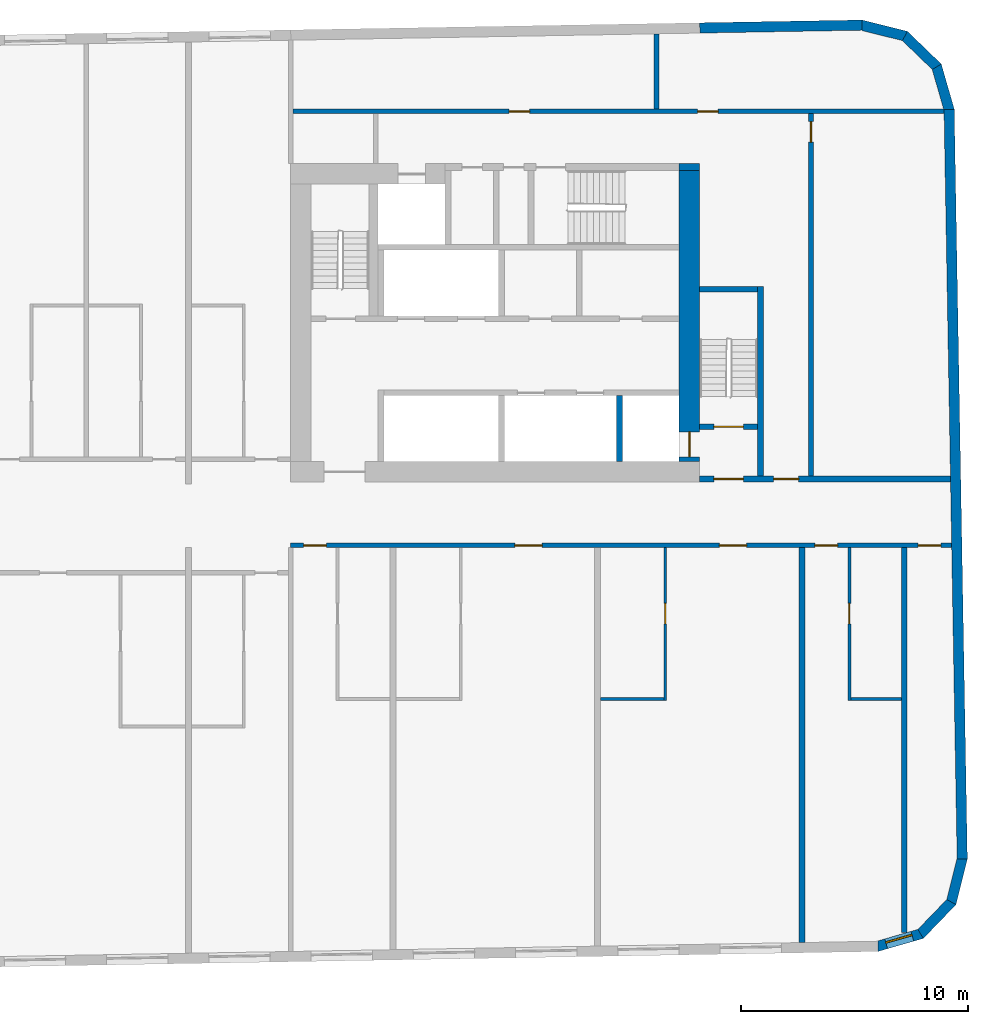
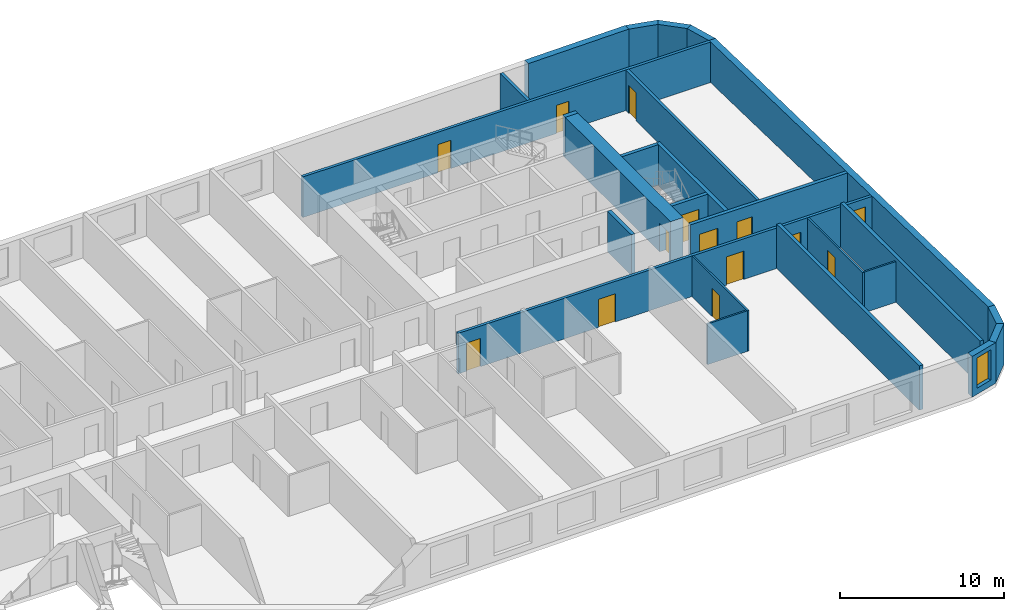
# One storey, part 7 of 11: 25 walls, 14 doors, 1 window, 15 openings.
"""IFC4 building model written with IfcOpenShell, lengths in metres."""

import ifcopenshell
import ifcopenshell.guid

model = None  # the IFC model being written
_history = None  # IfcOwnerHistory: only IFC2X3 demands one
_inside = {}  # id of a spatial element -> (the spatial element, [elements in it])
_under = {}  # id of a project, library or spatial element -> (it, [spatial elements below it])
_declared = {}  # id of a project -> (the project, [libraries it declares])
_typed = {}  # id of a type object -> (the type object, [elements of that type])
_made_of = {}  # id of a material, layer set ... -> (it, [elements and type objects made of it])


def new_model(schema):
    """Start an empty IFC model of exactly this schema.

    Asked for "IFC4X3", IfcOpenShell would pick the latest addendum, in which some entities
    have other attributes; the version numbers below select the first issue.
    IFC2X3 requires an IfcOwnerHistory on every rooted entity: one is made here for all.
    """
    global model, _history
    if schema == "IFC4X3":
        model = ifcopenshell.file(schema_version=(4, 3, 0, 0))
    else:
        model = ifcopenshell.file(schema=schema)
    _inside.clear()
    _under.clear()
    _declared.clear()
    _typed.clear()
    _made_of.clear()
    _history = None
    if model.schema == "IFC2X3":
        org = make("IfcOrganization", Name="unknown")
        user = make(
            "IfcPersonAndOrganization",
            ThePerson=make("IfcPerson", FamilyName="unknown"),
            TheOrganization=org,
        )
        app = make(
            "IfcApplication",
            ApplicationDeveloper=org,
            Version="unknown",
            ApplicationFullName="unknown",
            ApplicationIdentifier="unknown",
        )
        _history = make(
            "IfcOwnerHistory",
            OwningUser=user,
            OwningApplication=app,
            ChangeAction="ADDED",
            CreationDate=0,
        )
    return model


def make(cls, **values):
    """One entity of the class cls with the attributes given. An attribute that is None is left unset."""
    return model.create_entity(
        cls, **{name: value for name, value in values.items() if value is not None}
    )


def rooted(cls, **values):
    """An entity with a GlobalId (a new one), such as an element, a storey or a relation."""
    return make(cls, GlobalId=ifcopenshell.guid.new(), OwnerHistory=_history, **values)


def si_unit(unit_type, name, prefix=None):
    """IfcSIUnit, for example si_unit("LENGTHUNIT", "METRE", prefix="MILLI")."""
    return make("IfcSIUnit", UnitType=unit_type, Prefix=prefix, Name=name)


def assignment(units):
    """IfcUnitAssignment: the units of a project."""
    return None if units is None else make("IfcUnitAssignment", Units=units)


def point(xyz):
    """IfcCartesianPoint."""
    return None if xyz is None else make("IfcCartesianPoint", Coordinates=xyz)


def direction(xyz):
    """IfcDirection."""
    return None if xyz is None else make("IfcDirection", DirectionRatios=xyz)


def frame(location, z_axis=None, x_axis=None):
    """IfcAxis2Placement3D, a coordinate frame: its origin and axes. An axis left out is left unset."""
    return make(
        "IfcAxis2Placement3D",
        Location=point(location),
        Axis=direction(z_axis),
        RefDirection=direction(x_axis),
    )


def frame_2d(location, x_axis=None):
    """IfcAxis2Placement2D, a coordinate frame in the plane: its origin and x axis."""
    return make(
        "IfcAxis2Placement2D", Location=point(location), RefDirection=direction(x_axis)
    )


def origin():
    """The frame at (0, 0, 0) with its axes left unset."""
    return frame((0.0, 0.0, 0.0))


def place(relative_to, where):
    """IfcLocalPlacement: puts the frame where relative to a parent placement (None: the world)."""
    return make(
        "IfcLocalPlacement", PlacementRelTo=relative_to, RelativePlacement=where
    )


def context(
    kind, dimensions, precision=None, world=None, true_north=None, identifier=None
):
    """IfcGeometricRepresentationContext, for example the 3D "Model" context."""
    return make(
        "IfcGeometricRepresentationContext",
        ContextIdentifier=identifier,
        ContextType=kind,
        CoordinateSpaceDimension=dimensions,
        Precision=precision,
        WorldCoordinateSystem=world,
        TrueNorth=true_north,
    )


def subcontext(parent, identifier, kind, view, scale=None):
    """IfcGeometricRepresentationSubContext, for example "Body" below "Model"."""
    return make(
        "IfcGeometricRepresentationSubContext",
        ContextIdentifier=identifier,
        ContextType=kind,
        ParentContext=parent,
        TargetScale=scale,
        TargetView=view,
    )


def project(units=None, contexts=None):
    """IfcProject with its units and contexts."""
    return rooted(
        "IfcProject",
        Name="project",
        RepresentationContexts=contexts,
        UnitsInContext=assignment(units),
    )


def spatial(cls, under=None, at=None, **own):
    """A site, building, storey or space (cls), placed at a placement, below another one or the project."""
    s = rooted(cls, ObjectPlacement=at, **own)
    if under is not None:
        _under.setdefault(under.id(), (under, []))[1].append(s)
    return s


def polyline(points):
    """IfcPolyline through the points."""
    return make("IfcPolyline", Points=[point(p) for p in points])


def profile(cls, at=None, kind="AREA", **sizes):
    """A parametric profile (cls). Its sizes go by their IFC names, for example OverallWidth=200.0."""
    return make(cls, ProfileType=kind, Position=at, **sizes)


def rectangle(**sizes):
    """IfcRectangleProfileDef."""
    return profile("IfcRectangleProfileDef", **sizes)


def outline(outer, holes=None, kind="AREA"):
    """IfcArbitraryClosedProfileDef: a profile drawn as a closed curve; with holes, ...WithVoids."""
    if holes is None:
        return make("IfcArbitraryClosedProfileDef", ProfileType=kind, OuterCurve=outer)
    return make(
        "IfcArbitraryProfileDefWithVoids",
        ProfileType=kind,
        OuterCurve=outer,
        InnerCurves=holes,
    )


def extrude(swept, where, along, depth):
    """IfcExtrudedAreaSolid: the profile swept, set in the frame where, extruded along a direction by depth."""
    return make(
        "IfcExtrudedAreaSolid",
        SweptArea=swept,
        Position=where,
        ExtrudedDirection=direction(along),
        Depth=depth,
    )


def shape(context_of_items, identifier, shape_type, items):
    """IfcShapeRepresentation: the items that make up one representation, for example the "Body"."""
    return make(
        "IfcShapeRepresentation",
        ContextOfItems=context_of_items,
        RepresentationIdentifier=identifier,
        RepresentationType=shape_type,
        Items=items,
    )


def material(Name=None, Category=None):
    """IfcMaterial."""
    return make("IfcMaterial", Name=Name, Category=Category)


def layer(
    of_material, thickness, ventilated=None, Name=None, Category=None, Priority=None
):
    """IfcMaterialLayer: one layer of a wall or slab, of a material (None: an air gap)."""
    return make(
        "IfcMaterialLayer",
        Material=of_material,
        LayerThickness=thickness,
        IsVentilated=ventilated,
        Name=Name,
        Category=Category,
        Priority=Priority,
    )


def layer_set(layers, Name=None):
    """IfcMaterialLayerSet."""
    return make("IfcMaterialLayerSet", MaterialLayers=layers, LayerSetName=Name)


def made_of(thing, what):
    """Note that an element or type object is made of a material, layer set ...; save() writes the relation."""
    if what is not None:
        _made_of.setdefault(what.id(), (what, []))[1].append(thing)
    return thing


def type_object(cls, material=None, **own):
    """A type object (cls), such as IfcWallType, which elements share."""
    return made_of(rooted(cls, **own), material)


def element(
    cls,
    number,
    at=None,
    inside=None,
    cuts=None,
    type_object=None,
    material=None,
    context=None,
    identifier="Body",
    shape_type=None,
    held_by="IfcProductDefinitionShape",
    body=None,
    shapes=None,
    **own,
):
    """One element of the class cls, such as IfcWall. Its Tag is "e" and its number.

    at: its placement. inside: the storey or other place that contains it. cuts: it is an
    opening in that element (IfcRelVoidsElement). A single representation is given by context,
    identifier, shape_type and body (its items); several are given by shapes. held_by: the class
    of the entity that holds the representations. save() writes the other relations.
    """
    e = rooted(cls, Tag="e%d" % number, ObjectPlacement=at, **own)
    if body is not None:
        shapes = [shape(context, identifier, shape_type, body)]
    if shapes is not None:
        e.Representation = make(held_by, Representations=shapes)
    if inside is not None:
        _inside.setdefault(inside.id(), (inside, []))[1].append(e)
    if cuts is not None:
        rooted(
            "IfcRelVoidsElement", RelatingBuildingElement=cuts, RelatedOpeningElement=e
        )
    if type_object is not None:
        _typed.setdefault(type_object.id(), (type_object, []))[1].append(e)
    return made_of(e, material)


def fill(opening, filler):
    """IfcRelFillsElement: the door or window that sits in an opening."""
    return rooted(
        "IfcRelFillsElement",
        RelatingOpeningElement=opening,
        RelatedBuildingElement=filler,
    )


def aggregate(whole, parts):
    """IfcRelAggregates: a whole, such as a stair, and the parts it consists of."""
    return rooted("IfcRelAggregates", RelatingObject=whole, RelatedObjects=parts)


def save(model, path):
    """Write the relations noted so far, then the file.

    IfcRelAggregates (storeys below a building ...), IfcRelContainedInSpatialStructure (elements
    in a storey), IfcRelDefinesByType, IfcRelAssociatesMaterial and IfcRelDeclares: one each for
    every whole, place, type object, material and project.
    """
    for whole, parts in _under.values():
        aggregate(whole, parts)
    for where, things in _inside.values():
        rooted(
            "IfcRelContainedInSpatialStructure",
            RelatedElements=things,
            RelatingStructure=where,
        )
    for kind, things in _typed.values():
        rooted("IfcRelDefinesByType", RelatedObjects=things, RelatingType=kind)
    for what, things in _made_of.values():
        rooted("IfcRelAssociatesMaterial", RelatedObjects=things, RelatingMaterial=what)
    for by, libraries in _declared.values():
        rooted("IfcRelDeclares", RelatingContext=by, RelatedDefinitions=libraries)
    model.write(path)


model = new_model("IFC4")

# Units and contexts
model_context = context("Model", 3, precision=1e-05, world=origin(), true_north=direction((0.0, 1.0)))
body_context = subcontext(model_context, "Body", "Model", "MODEL_VIEW")
ifc_project = project(units=[si_unit("LENGTHUNIT", "METRE"), si_unit("AREAUNIT", "SQUARE_METRE"), si_unit("VOLUMEUNIT", "CUBIC_METRE"), si_unit("PLANEANGLEUNIT", "RADIAN"), si_unit("MASSUNIT", "GRAM", prefix="KILO")], contexts=[model_context])

# Site, building, storey
site_placement = place(None, origin())
site = spatial("IfcSite", under=ifc_project, at=site_placement, CompositionType="ELEMENT")
building_placement = place(site_placement, origin())
building = spatial("IfcBuilding", under=site, at=building_placement, Name="Kajstack Hotel Tower", CompositionType="ELEMENT")
storey_placement = place(building_placement, frame((0.0, 0.0, 224.300048828125)))
storey = spatial("IfcBuildingStorey", under=building, at=storey_placement, Name="L54", CompositionType="ELEMENT", Elevation=224.300048828125)

# Wall
ifc_material_1 = material(Name="Concrete C60/75", Category="concrete")
ifc_layer_1 = layer(ifc_material_1, 0.89990234375)
ifc_layer_set_1 = layer_set([ifc_layer_1], Name="Core wall 900")
wall_type_1 = type_object("IfcWallType", Name="Core wall 900", PredefinedType="SHEAR", material=ifc_layer_set_1)
wall_1_placement = place(storey_placement, frame((30.60009765625, 15.35009765625, 0.0), z_axis=(0.0, 0.0, 1.0), x_axis=(1.0, 0.0, 0.0)))
element("IfcWall", 1, at=wall_1_placement, inside=storey, type_object=wall_type_1, Name="Core wall E RSW", PredefinedType="SHEAR", context=body_context, shape_type="SweptSolid", body=[
    extrude(rectangle(XDim=0.89990234375, YDim=0.300048828125, at=frame_2d((0.449951171875, 0.0))), origin(), (0.0, 0.0, 1.0), 3.02001953125),
])

# Wall, opening, door
wall_2_placement = place(storey_placement, frame((31.050048828125, 2.39990234375, 0.0), z_axis=(0.0, 0.0, 1.0), x_axis=(0.0, 1.0, 0.0)))
wall_2 = element("IfcWall", 2, at=wall_2_placement, inside=storey, type_object=wall_type_1, Name="Core wall E RW", PredefinedType="SHEAR", context=body_context, shape_type="SweptSolid", body=[
    extrude(rectangle(XDim=12.800048828125, YDim=0.89990234375, at=frame_2d((6.39990234375, 0.0))), origin(), (0.0, 0.0, 1.0), 3.02001953125),
])
opening_1_placement = place(wall_2_placement, frame((0.199951171875, 0.0, 0.0)))
opening_1 = element("IfcOpeningElement", 3, at=opening_1_placement, cuts=wall_2, Name="Opening LD-FF2", PredefinedType="OPENING", context=body_context, shape_type="SweptSolid", body=[
    extrude(rectangle(XDim=1.10009765625, YDim=2.10009765625, at=frame_2d((0.550048828125, 1.050048828125))), frame((0.0, 0.4599609375, 0.0), z_axis=(0.0, -1.0, 0.0), x_axis=(1.0, 0.0, 0.0)), (0.0, 0.0, 1.0), 0.919921875),
])
ifc_material_2 = material(Name="Stainless steel", Category="steel")
door_type_1 = type_object("IfcDoorType", Name="Fire-fighting lift landing door 1100", OperationType="SLIDING_TO_LEFT", PredefinedType="DOOR", material=ifc_material_2)
door_1_placement = place(opening_1_placement, origin())
door_1 = element("IfcDoor", 4, at=door_1_placement, inside=storey, type_object=door_type_1, Name="Landing door FF2", OperationType="SLIDING_TO_LEFT", OverallHeight=2.10009765625, OverallWidth=1.10009765625, PredefinedType="DOOR", context=body_context, shape_type="SweptSolid", body=[
    extrude(rectangle(XDim=1.10009765625, YDim=2.10009765625, at=frame_2d((0.550048828125, 1.050048828125))), frame((0.0, 0.02490234375, 0.0), z_axis=(0.0, -1.0, 0.0), x_axis=(1.0, 0.0, 0.0)), (0.0, 0.0, 1.0), 0.050048828125),
])
fill(opening_1, door_1)

# Wall, openings, doors
ifc_material_3 = material(Name="Gypsum board on steel studs, mineral wool", Category="steel")
ifc_layer_2 = layer(ifc_material_3, 0.199951171875)
ifc_layer_set_2 = layer_set([ifc_layer_2], Name="Corridor wall 200")
wall_type_2 = type_object("IfcWallType", Name="Corridor wall 200", PredefinedType="PARTITIONING", material=ifc_layer_set_2)
wall_3_placement = place(storey_placement, frame((13.5, -1.300048828125, 0.0), z_axis=(0.0, 0.0, 1.0), x_axis=(1.0, 0.0, 0.0)))
wall_3 = element("IfcWall", 5, at=wall_3_placement, inside=storey, type_object=wall_type_2, Name="G-wall-L54-030", PredefinedType="PARTITIONING", context=body_context, shape_type="SweptSolid", body=[
    extrude(rectangle(XDim=29.091064453125, YDim=0.199951171875, at=frame_2d((14.54541015625, 0.0))), origin(), (0.0, 0.0, 1.0), 3.02001953125),
])
opening_2_placement = place(wall_3_placement, frame((0.574951171875, 0.0, 0.0)))
opening_2 = element("IfcOpeningElement", 6, at=opening_2_placement, cuts=wall_3, Name="Opening 54029", PredefinedType="OPENING", context=body_context, shape_type="SweptSolid", body=[
    extrude(rectangle(XDim=1.0, YDim=2.10009765625, at=frame_2d((0.5, 1.050048828125))), frame((0.0, 0.10986328125, 0.0), z_axis=(0.0, -1.0, 0.0), x_axis=(1.0, 0.0, 0.0)), (0.0, 0.0, 1.0), 0.219970703125),
])
opening_3_placement = place(wall_3_placement, frame((9.862060546875, 0.0, 0.0)))
opening_3 = element("IfcOpeningElement", 7, at=opening_3_placement, cuts=wall_3, Name="Opening 54031", PredefinedType="OPENING", context=body_context, shape_type="SweptSolid", body=[
    extrude(rectangle(XDim=1.199951171875, YDim=2.10009765625, at=frame_2d((0.60009765625, 1.050048828125))), frame((0.0, 0.10986328125, 0.0), z_axis=(0.0, -1.0, 0.0), x_axis=(1.0, 0.0, 0.0)), (0.0, 0.0, 1.0), 0.219970703125),
])
opening_4_placement = place(wall_3_placement, frame((18.862060546875, 0.0, 0.0)))
opening_4 = element("IfcOpeningElement", 8, at=opening_4_placement, cuts=wall_3, Name="Opening 54033", PredefinedType="OPENING", context=body_context, shape_type="SweptSolid", body=[
    extrude(rectangle(XDim=1.199951171875, YDim=2.10009765625, at=frame_2d((0.60009765625, 1.050048828125))), frame((0.0, 0.10986328125, 0.0), z_axis=(0.0, -1.0, 0.0), x_axis=(1.0, 0.0, 0.0)), (0.0, 0.0, 1.0), 0.219970703125),
])
opening_5_placement = place(wall_3_placement, frame((23.074951171875, 0.0, 0.0)))
opening_5 = element("IfcOpeningElement", 9, at=opening_5_placement, cuts=wall_3, Name="Opening 54035", PredefinedType="OPENING", context=body_context, shape_type="SweptSolid", body=[
    extrude(rectangle(XDim=1.0, YDim=2.10009765625, at=frame_2d((0.5, 1.050048828125))), frame((0.0, 0.10986328125, 0.0), z_axis=(0.0, -1.0, 0.0), x_axis=(1.0, 0.0, 0.0)), (0.0, 0.0, 1.0), 0.219970703125),
])
opening_6_placement = place(wall_3_placement, frame((27.611083984375, 0.0, 0.0)))
opening_6 = element("IfcOpeningElement", 10, at=opening_6_placement, cuts=wall_3, Name="Opening 54037", PredefinedType="OPENING", context=body_context, shape_type="SweptSolid", body=[
    extrude(rectangle(XDim=1.0, YDim=2.39990234375, at=frame_2d((0.5, 1.199951171875))), frame((0.0, 0.10986328125, 0.0), z_axis=(0.0, -1.0, 0.0), x_axis=(1.0, 0.0, 0.0)), (0.0, 0.0, 1.0), 0.219970703125),
])
ifc_material_4 = material(Name="Oak veneer on timber core, fire-rated leaf", Category="wood")
door_type_2 = type_object("IfcDoorType", Name="Flat entrance door 1000", OperationType="SINGLE_SWING_LEFT", PredefinedType="DOOR", material=ifc_material_4)
door_2_placement = place(opening_2_placement, origin())
door_2 = element("IfcDoor", 11, at=door_2_placement, inside=storey, type_object=door_type_2, Name="G-door-L54-29", OperationType="SINGLE_SWING_LEFT", OverallHeight=2.10009765625, OverallWidth=1.0, PredefinedType="DOOR", context=body_context, shape_type="SweptSolid", body=[
    extrude(rectangle(XDim=1.0, YDim=2.10009765625, at=frame_2d((0.5, 1.050048828125))), frame((0.0, 0.02490234375, 0.0), z_axis=(0.0, -1.0, 0.0), x_axis=(1.0, 0.0, 0.0)), (0.0, 0.0, 1.0), 0.050048828125),
])
fill(opening_2, door_2)
door_3_placement = place(opening_5_placement, origin())
door_3 = element("IfcDoor", 12, at=door_3_placement, inside=storey, type_object=door_type_2, Name="G-door-L54-35", OperationType="SINGLE_SWING_LEFT", OverallHeight=2.10009765625, OverallWidth=1.0, PredefinedType="DOOR", context=body_context, shape_type="SweptSolid", body=[
    extrude(rectangle(XDim=1.0, YDim=2.10009765625, at=frame_2d((0.5, 1.050048828125))), frame((0.0, 0.02490234375, 0.0), z_axis=(0.0, -1.0, 0.0), x_axis=(1.0, 0.0, 0.0)), (0.0, 0.0, 1.0), 0.050048828125),
])
fill(opening_5, door_3)
door_type_3 = type_object("IfcDoorType", Name="Flat entrance door 1200", OperationType="SINGLE_SWING_LEFT", PredefinedType="DOOR", material=ifc_material_4)
door_4_placement = place(opening_3_placement, origin())
door_4 = element("IfcDoor", 13, at=door_4_placement, inside=storey, type_object=door_type_3, Name="G-door-L54-31", OperationType="SINGLE_SWING_LEFT", OverallHeight=2.10009765625, OverallWidth=1.199951171875, PredefinedType="DOOR", context=body_context, shape_type="SweptSolid", body=[
    extrude(rectangle(XDim=1.199951171875, YDim=2.10009765625, at=frame_2d((0.60009765625, 1.050048828125))), frame((0.0, 0.02490234375, 0.0), z_axis=(0.0, -1.0, 0.0), x_axis=(1.0, 0.0, 0.0)), (0.0, 0.0, 1.0), 0.050048828125),
])
fill(opening_3, door_4)
door_5_placement = place(opening_4_placement, origin())
door_5 = element("IfcDoor", 14, at=door_5_placement, inside=storey, type_object=door_type_3, Name="G-door-L54-33", OperationType="SINGLE_SWING_LEFT", OverallHeight=2.10009765625, OverallWidth=1.199951171875, PredefinedType="DOOR", context=body_context, shape_type="SweptSolid", body=[
    extrude(rectangle(XDim=1.199951171875, YDim=2.10009765625, at=frame_2d((0.60009765625, 1.050048828125))), frame((0.0, 0.02490234375, 0.0), z_axis=(0.0, -1.0, 0.0), x_axis=(1.0, 0.0, 0.0)), (0.0, 0.0, 1.0), 0.050048828125),
])
fill(opening_4, door_5)
ifc_material_5 = material(Name="Steel-faced door leaf, fire-rated", Category="steel")
door_type_4 = type_object("IfcDoorType", Name="Store door 1000", OperationType="SINGLE_SWING_LEFT", PredefinedType="DOOR", material=ifc_material_5)
door_6_placement = place(opening_6_placement, origin())
door_6 = element("IfcDoor", 15, at=door_6_placement, inside=storey, type_object=door_type_4, Name="G-door-L54-37", OperationType="SINGLE_SWING_LEFT", OverallHeight=2.39990234375, OverallWidth=1.0, PredefinedType="DOOR", context=body_context, shape_type="SweptSolid", body=[
    extrude(rectangle(XDim=1.0, YDim=2.39990234375, at=frame_2d((0.5, 1.199951171875))), frame((0.0, 0.02490234375, 0.0), z_axis=(0.0, -1.0, 0.0), x_axis=(1.0, 0.0, 0.0)), (0.0, 0.0, 1.0), 0.050048828125),
])
fill(opening_6, door_6)

# Wall, opening, window
ifc_material_6 = material(Name="Terracotta-faced brick masonry", Category="masonry")
ifc_layer_3 = layer(ifc_material_6, 0.449951171875)
ifc_layer_set_3 = layer_set([ifc_layer_3], Name="EW-TERRA")
wall_type_3 = type_object("IfcWallType", Name="EW-TERRA", PredefinedType="SOLIDWALL", material=ifc_layer_set_3)
wall_4_placement = place(storey_placement, frame((39.290283203125, -18.952392578125, 0.0), z_axis=(0.0, 0.0, 1.0), x_axis=(0.961247584925, 0.275686562016, 0.0)))
wall_4 = element("IfcWall", 16, at=wall_4_placement, inside=storey, type_object=wall_type_3, Name="E-wall-L54-05-00", PredefinedType="SOLIDWALL", context=body_context, shape_type="SweptSolid", body=[
    extrude(outline(polyline([(0.0, -0.224853515625), (2.070556640625, -0.22509765625), (1.949951171875, 0.224853515625), (0.12060546875, 0.22509765625), (0.0, -0.224853515625)])), origin(), (0.0, 0.0, 1.0), 3.02001953125),
])
opening_7_placement = place(wall_4_placement, frame((0.435302734375, 0.0, 0.449951171875)))
opening_7 = element("IfcOpeningElement", 17, at=opening_7_placement, cuts=wall_4, Name="Opening W3", PredefinedType="OPENING", context=body_context, shape_type="SweptSolid", body=[
    extrude(rectangle(XDim=1.199951171875, YDim=2.25, at=frame_2d((0.60009765625, 1.125))), frame((0.0, 0.23486328125, 0.0), z_axis=(0.0, -1.0, 0.0), x_axis=(1.0, 0.0, 0.0)), (0.0, 0.0, 1.0), 0.469970703125),
])
ifc_material_7 = material(Name="Timber-aluminium window, triple glazed", Category="wood")
window_type = type_object("IfcWindowType", Name="WG3", PartitioningType="SINGLE_PANEL", PredefinedType="WINDOW", material=ifc_material_7)
window_placement = place(opening_7_placement, origin())
window = element("IfcWindow", 18, at=window_placement, inside=storey, type_object=window_type, Name="Window W3 L54-05", OverallHeight=2.25, OverallWidth=1.199951171875, PartitioningType="SINGLE_PANEL", PredefinedType="WINDOW", context=body_context, shape_type="SweptSolid", body=[
    extrude(rectangle(XDim=1.199951171875, YDim=2.25, at=frame_2d((0.60009765625, 1.125))), frame((0.0, 0.090087890625, 0.0), z_axis=(0.0, -1.0, 0.0), x_axis=(1.0, 0.0, 0.0)), (0.0, 0.0, 1.0), 0.06005859375),
])
fill(opening_7, window)

# Walls
wall_5_placement = place(storey_placement, frame((41.1806640625, -18.441650390625, 0.0), z_axis=(0.0, 0.0, 1.0), x_axis=(0.694678672846, 0.719320193998, 0.0)))
element("IfcWall", 19, at=wall_5_placement, inside=storey, type_object=wall_type_3, Name="E-wall-L54-06-00", PredefinedType="SOLIDWALL", context=body_context, shape_type="SweptSolid", body=[
    extrude(outline(polyline([(0.0, -0.22509765625), (2.07080078125, -0.224853515625), (1.9501953125, 0.22509765625), (0.12060546875, 0.22509765625), (0.0, -0.22509765625)])), origin(), (0.0, 0.0, 1.0), 3.02001953125),
])
wall_6_placement = place(storey_placement, frame((42.562744140625, -17.053955078125, 0.0), z_axis=(0.0, 0.0, 1.0), x_axis=(0.241841950319, 0.970315655375, 0.0)))
element("IfcWall", 20, at=wall_6_placement, inside=storey, type_object=wall_type_3, Name="E-wall-L54-07-00", PredefinedType="SOLIDWALL", context=body_context, shape_type="SweptSolid", body=[
    extrude(outline(polyline([(0.0, -0.224853515625), (2.070556640625, -0.22509765625), (1.949951171875, 0.224853515625), (0.12060546875, 0.22509765625), (0.0, -0.224853515625)])), origin(), (0.0, 0.0, 1.0), 3.02001953125),
])
wall_7_placement = place(storey_placement, frame((43.056884765625, -15.103271484375, 0.0), z_axis=(0.0, 0.0, 1.0), x_axis=(-0.017452408953, 0.999847695112, 0.0)))
element("IfcWall", 21, at=wall_7_placement, inside=storey, type_object=wall_type_3, Name="E-wall-L54-08-00", PredefinedType="SOLIDWALL", context=body_context, shape_type="SweptSolid", body=[
    extrude(rectangle(XDim=33.0, YDim=0.449951171875, at=frame_2d((16.5, 0.0))), origin(), (0.0, 0.0, 1.0), 3.02001953125),
])
wall_8_placement = place(storey_placement, frame((42.489501953125, 17.83349609375, 0.0), z_axis=(0.0, 0.0, 1.0), x_axis=(-0.275546368831, 0.961287781377, 0.0)))
element("IfcWall", 22, at=wall_8_placement, inside=storey, type_object=wall_type_3, Name="E-wall-L54-09-00", PredefinedType="SOLIDWALL", context=body_context, shape_type="SweptSolid", body=[
    extrude(outline(polyline([(0.0, -0.22509765625), (2.070556640625, -0.224853515625), (1.949951171875, 0.22509765625), (0.12060546875, 0.224853515625), (0.0, -0.22509765625)])), origin(), (0.0, 0.0, 1.0), 3.02001953125),
])
wall_9_placement = place(storey_placement, frame((41.97900390625, 19.72412109375, 0.0), z_axis=(0.0, 0.0, 1.0), x_axis=(-0.719379111448, 0.694617660308, 0.0)))
element("IfcWall", 23, at=wall_9_placement, inside=storey, type_object=wall_type_3, Name="E-wall-L54-10-00", PredefinedType="SOLIDWALL", context=body_context, shape_type="SweptSolid", body=[
    extrude(outline(polyline([(0.0, -0.224853515625), (2.070556640625, -0.22509765625), (1.949951171875, 0.224853515625), (0.12060546875, 0.22509765625), (0.0, -0.224853515625)])), origin(), (0.0, 0.0, 1.0), 3.02001953125),
])
wall_10_placement = place(storey_placement, frame((40.59130859375, 21.10595703125, 0.0), z_axis=(0.0, 0.0, 1.0), x_axis=(-0.970287979719, 0.241952963225, 0.0)))
element("IfcWall", 24, at=wall_10_placement, inside=storey, type_object=wall_type_3, Name="E-wall-L54-11-00", PredefinedType="SOLIDWALL", context=body_context, shape_type="SweptSolid", body=[
    extrude(outline(polyline([(0.0, -0.22509765625), (2.070556640625, -0.224853515625), (1.949951171875, 0.22509765625), (0.12060546875, 0.224853515625), (0.0, -0.22509765625)])), origin(), (0.0, 0.0, 1.0), 3.02001953125),
])
wall_11_placement = place(storey_placement, frame((38.640625, 21.600341796875, 0.0), z_axis=(0.0, 0.0, 1.0), x_axis=(-0.999847245074, -0.017478172627, 0.0)))
element("IfcWall", 25, at=wall_11_placement, inside=storey, type_object=wall_type_3, Name="E-wall-L54-12-00", PredefinedType="SOLIDWALL", context=body_context, shape_type="SweptSolid", body=[
    extrude(rectangle(XDim=7.1376953125, YDim=0.449951171875, at=frame_2d((3.56884765625, 0.0))), origin(), (0.0, 0.0, 1.0), 3.02001953125),
])

# Wall, opening, door
ifc_material_8 = material(Name="Gypsum board and tiled backer on steel studs", Category="steel")
ifc_layer_4 = layer(ifc_material_8, 0.125)
ifc_layer_set_4 = layer_set([ifc_layer_4], Name="En-suite wall 125")
wall_type_4 = type_object("IfcWallType", Name="En-suite wall 125", PredefinedType="PARTITIONING", material=ifc_layer_set_4)
wall_12_placement = place(storey_placement, frame((29.988037109375, -8.125, 0.0), z_axis=(0.0, 0.0, 1.0), x_axis=(0.0, 1.0, 0.0)))
wall_12 = element("IfcWall", 26, at=wall_12_placement, inside=storey, type_object=wall_type_4, Name="G-wall-L54-044", PredefinedType="PARTITIONING", context=body_context, shape_type="SweptSolid", body=[
    extrude(rectangle(XDim=6.72509765625, YDim=0.125, at=frame_2d((3.362548828125, 0.0))), origin(), (0.0, 0.0, 1.0), 3.02001953125),
])
opening_8_placement = place(wall_12_placement, frame((3.375, 0.0, 0.0)))
opening_8 = element("IfcOpeningElement", 27, at=opening_8_placement, cuts=wall_12, Name="Opening 54034", PredefinedType="OPENING", context=body_context, shape_type="SweptSolid", body=[
    extrude(rectangle(XDim=0.89990234375, YDim=2.10009765625, at=frame_2d((0.449951171875, 1.050048828125))), frame((0.0, 0.072509765625, 0.0), z_axis=(0.0, -1.0, 0.0), x_axis=(1.0, 0.0, 0.0)), (0.0, 0.0, 1.0), 0.14501953125),
])
ifc_material_9 = material(Name="Painted timber door leaf", Category="wood")
door_type_5 = type_object("IfcDoorType", Name="Room door 900", OperationType="SINGLE_SWING_LEFT", PredefinedType="DOOR", material=ifc_material_9)
door_7_placement = place(opening_8_placement, origin())
door_7 = element("IfcDoor", 28, at=door_7_placement, inside=storey, type_object=door_type_5, Name="G-door-L54-34", OperationType="SINGLE_SWING_LEFT", OverallHeight=2.10009765625, OverallWidth=0.89990234375, PredefinedType="DOOR", context=body_context, shape_type="SweptSolid", body=[
    extrude(rectangle(XDim=0.89990234375, YDim=2.10009765625, at=frame_2d((0.449951171875, 1.050048828125))), frame((0.0, 0.02490234375, 0.0), z_axis=(0.0, -1.0, 0.0), x_axis=(1.0, 0.0, 0.0)), (0.0, 0.0, 1.0), 0.050048828125),
])
fill(opening_8, door_7)

# Wall
wall_13_placement = place(storey_placement, frame((27.125, -8.06201171875, 0.0), z_axis=(0.0, 0.0, 1.0), x_axis=(1.0, 0.0, 0.0)))
element("IfcWall", 29, at=wall_13_placement, inside=storey, type_object=wall_type_4, Name="G-wall-L54-045", PredefinedType="PARTITIONING", context=body_context, shape_type="SweptSolid", body=[
    extrude(rectangle(XDim=2.800048828125, YDim=0.125, at=frame_2d((1.39990234375, 0.0))), origin(), (0.0, 0.0, 1.0), 3.02001953125),
])

# Wall, opening, door
wall_14_placement = place(storey_placement, frame((38.0869140625, -8.125, 0.0), z_axis=(0.0, 0.0, 1.0), x_axis=(0.0, 1.0, 0.0)))
wall_14 = element("IfcWall", 30, at=wall_14_placement, inside=storey, type_object=wall_type_4, Name="G-wall-L54-046", PredefinedType="PARTITIONING", context=body_context, shape_type="SweptSolid", body=[
    extrude(rectangle(XDim=6.72509765625, YDim=0.125, at=frame_2d((3.362548828125, 0.0))), origin(), (0.0, 0.0, 1.0), 3.02001953125),
])
opening_9_placement = place(wall_14_placement, frame((3.375, 0.0, 0.0)))
opening_9 = element("IfcOpeningElement", 31, at=opening_9_placement, cuts=wall_14, Name="Opening 54036", PredefinedType="OPENING", context=body_context, shape_type="SweptSolid", body=[
    extrude(rectangle(XDim=0.89990234375, YDim=2.10009765625, at=frame_2d((0.449951171875, 1.050048828125))), frame((0.0, 0.072509765625, 0.0), z_axis=(0.0, -1.0, 0.0), x_axis=(1.0, 0.0, 0.0)), (0.0, 0.0, 1.0), 0.14501953125),
])
door_8_placement = place(opening_9_placement, origin())
door_8 = element("IfcDoor", 32, at=door_8_placement, inside=storey, type_object=door_type_5, Name="G-door-L54-36", OperationType="SINGLE_SWING_RIGHT", OverallHeight=2.10009765625, OverallWidth=0.89990234375, PredefinedType="DOOR", context=body_context, shape_type="SweptSolid", body=[
    extrude(rectangle(XDim=0.89990234375, YDim=2.10009765625, at=frame_2d((0.449951171875, 1.050048828125))), frame((0.0, 0.02490234375, 0.0), z_axis=(0.0, -1.0, 0.0), x_axis=(1.0, 0.0, 0.0)), (0.0, 0.0, 1.0), 0.050048828125),
])
fill(opening_9, door_8)

# Walls
wall_15_placement = place(storey_placement, frame((38.14990234375, -8.06201171875, 0.0), z_axis=(0.0, 0.0, 1.0), x_axis=(1.0, 0.0, 0.0)))
element("IfcWall", 33, at=wall_15_placement, inside=storey, type_object=wall_type_4, Name="G-wall-L54-047", PredefinedType="PARTITIONING", context=body_context, shape_type="SweptSolid", body=[
    extrude(rectangle(XDim=2.22509765625, YDim=0.125, at=frame_2d((1.112548828125, 0.0))), origin(), (0.0, 0.0, 1.0), 3.02001953125),
])
ifc_material_10 = material(Name="Concrete C45/55", Category="concrete")
ifc_layer_5 = layer(ifc_material_10, 0.25)
ifc_layer_set_5 = layer_set([ifc_layer_5], Name="RC cross wall 250 C45/55")
wall_type_5 = type_object("IfcWallType", Name="RC cross wall 250 C45/55", PredefinedType="SHEAR", material=ifc_layer_set_5)
wall_16_placement = place(storey_placement, frame((36.0, -18.764892578125, 0.0), z_axis=(0.0, 0.0, 1.0), x_axis=(0.0, 1.0, 0.0)))
element("IfcWall", 34, at=wall_16_placement, inside=storey, type_object=wall_type_5, Name="S-wall-L54-12", PredefinedType="SHEAR", context=body_context, shape_type="SweptSolid", body=[
    extrude(rectangle(XDim=17.364990234375, YDim=0.25, at=frame_2d((8.6826171875, 0.0))), origin(), (0.0, 0.0, 1.0), 3.300048828125),
])
wall_17_placement = place(storey_placement, frame((40.5, -18.3251953125, 0.0), z_axis=(0.0, 0.0, 1.0), x_axis=(0.0, 1.0, 0.0)))
element("IfcWall", 35, at=wall_17_placement, inside=storey, type_object=wall_type_5, Name="S-wall-L54-13", PredefinedType="SHEAR", context=body_context, shape_type="SweptSolid", body=[
    extrude(rectangle(XDim=16.92529296875, YDim=0.25, at=frame_2d((8.462646484375, 0.0))), origin(), (0.0, 0.0, 1.0), 3.300048828125),
])

# Wall, openings, doors
ifc_layer_6 = layer(ifc_material_3, 0.199951171875)
ifc_layer_set_6 = layer_set([ifc_layer_6], Name="Service partition 200")
wall_type_6 = type_object("IfcWallType", Name="Service partition 200", PredefinedType="PARTITIONING", material=ifc_layer_set_6)
wall_18_placement = place(storey_placement, frame((31.5, 1.625, 0.0), z_axis=(0.0, 0.0, 1.0), x_axis=(1.0, 0.0, 0.0)))
wall_18 = element("IfcWall", 36, at=wall_18_placement, inside=storey, type_object=wall_type_6, Name="Partition E SN", PredefinedType="PARTITIONING", context=body_context, shape_type="SweptSolid", body=[
    extrude(rectangle(XDim=11.039794921875, YDim=0.25, at=frame_2d((5.52001953125, 0.0))), origin(), (0.0, 0.0, 1.0), 3.02001953125),
])
opening_10_placement = place(wall_18_placement, frame((0.625, 0.0, 0.0)))
opening_10 = element("IfcOpeningElement", 37, at=opening_10_placement, cuts=wall_18, Name="Opening 54E08", PredefinedType="OPENING", context=body_context, shape_type="SweptSolid", body=[
    extrude(rectangle(XDim=1.300048828125, YDim=2.10009765625, at=frame_2d((0.64990234375, 1.050048828125))), frame((0.0, 0.135009765625, 0.0), z_axis=(0.0, -1.0, 0.0), x_axis=(1.0, 0.0, 0.0)), (0.0, 0.0, 1.0), 0.27001953125),
])
opening_11_placement = place(wall_18_placement, frame((3.25, 0.0, 0.0)))
opening_11 = element("IfcOpeningElement", 38, at=opening_11_placement, cuts=wall_18, Name="Opening 54E10", PredefinedType="OPENING", context=body_context, shape_type="SweptSolid", body=[
    extrude(rectangle(XDim=1.10009765625, YDim=2.10009765625, at=frame_2d((0.550048828125, 1.050048828125))), frame((0.0, 0.135009765625, 0.0), z_axis=(0.0, -1.0, 0.0), x_axis=(1.0, 0.0, 0.0)), (0.0, 0.0, 1.0), 0.27001953125),
])
ifc_material_11 = material(Name="Steel leaf, fire-rated", Category="steel")
door_type_6 = type_object("IfcDoorType", Name="Fire lobby door 1300", OperationType="SINGLE_SWING_LEFT", PredefinedType="DOOR", material=ifc_material_11)
door_9_placement = place(opening_10_placement, origin())
door_9 = element("IfcDoor", 39, at=door_9_placement, inside=storey, type_object=door_type_6, Name="Door 54E08", OperationType="SINGLE_SWING_LEFT", OverallHeight=2.10009765625, OverallWidth=1.300048828125, PredefinedType="DOOR", context=body_context, shape_type="SweptSolid", body=[
    extrude(rectangle(XDim=1.300048828125, YDim=2.10009765625, at=frame_2d((0.64990234375, 1.050048828125))), frame((0.0, 0.02490234375, 0.0), z_axis=(0.0, -1.0, 0.0), x_axis=(1.0, 0.0, 0.0)), (0.0, 0.0, 1.0), 0.050048828125),
])
fill(opening_10, door_9)
ifc_material_12 = material(Name="Timber leaf, fire-rated", Category="wood")
door_type_7 = type_object("IfcDoorType", Name="Service corridor door 1100", OperationType="SINGLE_SWING_LEFT", PredefinedType="DOOR", material=ifc_material_12)
door_10_placement = place(opening_11_placement, origin())
door_10 = element("IfcDoor", 40, at=door_10_placement, inside=storey, type_object=door_type_7, Name="Door 54E10", OperationType="SINGLE_SWING_LEFT", OverallHeight=2.10009765625, OverallWidth=1.10009765625, PredefinedType="DOOR", context=body_context, shape_type="SweptSolid", body=[
    extrude(rectangle(XDim=1.10009765625, YDim=2.10009765625, at=frame_2d((0.550048828125, 1.050048828125))), frame((0.0, 0.02490234375, 0.0), z_axis=(0.0, -1.0, 0.0), x_axis=(1.0, 0.0, 0.0)), (0.0, 0.0, 1.0), 0.050048828125),
])
fill(opening_11, door_10)

# Wall, opening, door
wall_19_placement = place(storey_placement, frame((36.39990234375, 1.75, 0.0), z_axis=(0.0, 0.0, 1.0), x_axis=(0.0, 1.0, 0.0)))
wall_19 = element("IfcWall", 41, at=wall_19_placement, inside=storey, type_object=wall_type_6, Name="Partition E WRE", PredefinedType="PARTITIONING", context=body_context, shape_type="SweptSolid", body=[
    extrude(rectangle(XDim=15.949951171875, YDim=0.199951171875, at=frame_2d((7.97509765625, 0.0))), origin(), (0.0, 0.0, 1.0), 3.02001953125),
])
opening_12_placement = place(wall_19_placement, frame((14.699951171875, 0.0, 0.0)))
opening_12 = element("IfcOpeningElement", 42, at=opening_12_placement, cuts=wall_19, Name="Opening 54E19", PredefinedType="OPENING", context=body_context, shape_type="SweptSolid", body=[
    extrude(rectangle(XDim=0.89990234375, YDim=2.10009765625, at=frame_2d((0.449951171875, 1.050048828125))), frame((0.0, 0.10986328125, 0.0), z_axis=(0.0, -1.0, 0.0), x_axis=(1.0, 0.0, 0.0)), (0.0, 0.0, 1.0), 0.219970703125),
])
door_type_8 = type_object("IfcDoorType", Name="Service door 900", OperationType="SINGLE_SWING_LEFT", PredefinedType="DOOR", material=ifc_material_12)
door_11_placement = place(opening_12_placement, origin())
door_11 = element("IfcDoor", 43, at=door_11_placement, inside=storey, type_object=door_type_8, Name="Door 54E19", OperationType="SINGLE_SWING_RIGHT", OverallHeight=2.10009765625, OverallWidth=0.89990234375, PredefinedType="DOOR", context=body_context, shape_type="SweptSolid", body=[
    extrude(rectangle(XDim=0.89990234375, YDim=2.10009765625, at=frame_2d((0.449951171875, 1.050048828125))), frame((0.0, 0.02490234375, 0.0), z_axis=(0.0, -1.0, 0.0), x_axis=(1.0, 0.0, 0.0)), (0.0, 0.0, 1.0), 0.050048828125),
])
fill(opening_12, door_11)

# Wall, openings, doors
wall_20_placement = place(storey_placement, frame((13.60009765625, 17.800048828125, 0.0), z_axis=(0.0, 0.0, 1.0), x_axis=(1.0, 0.0, 0.0)))
wall_20 = element("IfcWall", 44, at=wall_20_placement, inside=storey, type_object=wall_type_6, Name="Partition E SLN", PredefinedType="PARTITIONING", context=body_context, shape_type="SweptSolid", body=[
    extrude(rectangle(XDim=28.657470703125, YDim=0.199951171875, at=frame_2d((14.32861328125, 0.0))), origin(), (0.0, 0.0, 1.0), 3.02001953125),
])
opening_13_placement = place(wall_20_placement, frame((17.8125, 0.0, 0.0)))
opening_13 = element("IfcOpeningElement", 45, at=opening_13_placement, cuts=wall_20, Name="Opening 54E17", PredefinedType="OPENING", context=body_context, shape_type="SweptSolid", body=[
    extrude(rectangle(XDim=0.89990234375, YDim=2.10009765625, at=frame_2d((0.449951171875, 1.050048828125))), frame((0.0, 0.10986328125, 0.0), z_axis=(0.0, -1.0, 0.0), x_axis=(1.0, 0.0, 0.0)), (0.0, 0.0, 1.0), 0.219970703125),
])
opening_14_placement = place(wall_20_placement, frame((9.512451171875, 0.0, 0.0)))
opening_14 = element("IfcOpeningElement", 46, at=opening_14_placement, cuts=wall_20, Name="Opening 54E18", PredefinedType="OPENING", context=body_context, shape_type="SweptSolid", body=[
    extrude(rectangle(XDim=0.89990234375, YDim=2.10009765625, at=frame_2d((0.449951171875, 1.050048828125))), frame((0.0, 0.10986328125, 0.0), z_axis=(0.0, -1.0, 0.0), x_axis=(1.0, 0.0, 0.0)), (0.0, 0.0, 1.0), 0.219970703125),
])
door_12_placement = place(opening_13_placement, origin())
door_12 = element("IfcDoor", 47, at=door_12_placement, inside=storey, type_object=door_type_8, Name="Door 54E17", OperationType="SINGLE_SWING_LEFT", OverallHeight=2.10009765625, OverallWidth=0.89990234375, PredefinedType="DOOR", context=body_context, shape_type="SweptSolid", body=[
    extrude(rectangle(XDim=0.89990234375, YDim=2.10009765625, at=frame_2d((0.449951171875, 1.050048828125))), frame((0.0, 0.02490234375, 0.0), z_axis=(0.0, -1.0, 0.0), x_axis=(1.0, 0.0, 0.0)), (0.0, 0.0, 1.0), 0.050048828125),
])
fill(opening_13, door_12)
door_13_placement = place(opening_14_placement, origin())
door_13 = element("IfcDoor", 48, at=door_13_placement, inside=storey, type_object=door_type_8, Name="Door 54E18", OperationType="SINGLE_SWING_LEFT", OverallHeight=2.10009765625, OverallWidth=0.89990234375, PredefinedType="DOOR", context=body_context, shape_type="SweptSolid", body=[
    extrude(rectangle(XDim=0.89990234375, YDim=2.10009765625, at=frame_2d((0.449951171875, 1.050048828125))), frame((0.0, 0.02490234375, 0.0), z_axis=(0.0, -1.0, 0.0), x_axis=(1.0, 0.0, 0.0)), (0.0, 0.0, 1.0), 0.050048828125),
])
fill(opening_14, door_13)

# Walls
wall_21_placement = place(storey_placement, frame((29.60009765625, 17.89990234375, 0.0), z_axis=(0.0, 0.0, 1.0), x_axis=(0.0, 1.0, 0.0)))
element("IfcWall", 49, at=wall_21_placement, inside=storey, type_object=wall_type_6, Name="Partition E SLP0", PredefinedType="PARTITIONING", context=body_context, shape_type="SweptSolid", body=[
    extrude(rectangle(XDim=3.317626953125, YDim=0.199951171875, at=frame_2d((1.65869140625, 0.0))), origin(), (0.0, 0.0, 1.0), 3.02001953125),
])
ifc_material_13 = material(Name="Concrete C50/60", Category="concrete")
ifc_layer_7 = layer(ifc_material_13, 0.25)
ifc_layer_set_7 = layer_set([ifc_layer_7], Name="Shaft wall 250")
wall_type_7 = type_object("IfcWallType", Name="Shaft wall 250", PredefinedType="SHEAR", material=ifc_layer_set_7)
wall_22_placement = place(storey_placement, frame((27.97509765625, 2.39990234375, 0.0), z_axis=(0.0, 0.0, 1.0), x_axis=(0.0, 1.0, 0.0)))
element("IfcWall", 50, at=wall_22_placement, inside=storey, type_object=wall_type_7, Name="Core wall E AP0", PredefinedType="SHEAR", context=body_context, shape_type="SweptSolid", body=[
    extrude(rectangle(XDim=2.900146484375, YDim=0.25, at=frame_2d((1.4501953125, 0.0))), origin(), (0.0, 0.0, 1.0), 3.02001953125),
])

# Wall, opening, door
ifc_material_14 = material(Name="Concrete C40/50", Category="concrete")
ifc_layer_8 = layer(ifc_material_14, 0.25)
ifc_layer_set_8 = layer_set([ifc_layer_8], Name="Stair enclosure wall 250")
wall_type_8 = type_object("IfcWallType", Name="Stair enclosure wall 250", PredefinedType="SHEAR", material=ifc_layer_set_8)
wall_23_placement = place(storey_placement, frame((31.5, 3.925048828125, 0.0), z_axis=(0.0, 0.0, 1.0), x_axis=(1.0, 0.0, 0.0)))
wall_23 = element("IfcWall", 51, at=wall_23_placement, inside=storey, type_object=wall_type_8, Name="Core wall E W1N", PredefinedType="SHEAR", context=body_context, shape_type="SweptSolid", body=[
    extrude(rectangle(XDim=2.550048828125, YDim=0.25, at=frame_2d((1.27490234375, 0.0))), origin(), (0.0, 0.0, 1.0), 3.02001953125),
])
opening_15_placement = place(wall_23_placement, frame((0.625, 0.0, 0.0)))
opening_15 = element("IfcOpeningElement", 52, at=opening_15_placement, cuts=wall_23, Name="Opening 54E09", PredefinedType="OPENING", context=body_context, shape_type="SweptSolid", body=[
    extrude(rectangle(XDim=1.300048828125, YDim=2.10009765625, at=frame_2d((0.64990234375, 1.050048828125))), frame((0.0, 0.135009765625, 0.0), z_axis=(0.0, -1.0, 0.0), x_axis=(1.0, 0.0, 0.0)), (0.0, 0.0, 1.0), 0.27001953125),
])
door_type_9 = type_object("IfcDoorType", Name="Stair door 1300", OperationType="SINGLE_SWING_LEFT", PredefinedType="DOOR", material=ifc_material_11)
door_14_placement = place(opening_15_placement, origin())
door_14 = element("IfcDoor", 53, at=door_14_placement, inside=storey, type_object=door_type_9, Name="Door 54E09", OperationType="SINGLE_SWING_LEFT", OverallHeight=2.10009765625, OverallWidth=1.300048828125, PredefinedType="DOOR", context=body_context, shape_type="SweptSolid", body=[
    extrude(rectangle(XDim=1.300048828125, YDim=2.10009765625, at=frame_2d((0.64990234375, 1.050048828125))), frame((0.0, 0.02490234375, 0.0), z_axis=(0.0, -1.0, 0.0), x_axis=(1.0, 0.0, 0.0)), (0.0, 0.0, 1.0), 0.050048828125),
])
fill(opening_15, door_14)

# Walls
wall_24_placement = place(storey_placement, frame((34.175048828125, 1.75, 0.0), z_axis=(0.0, 0.0, 1.0), x_axis=(0.0, 1.0, 0.0)))
element("IfcWall", 54, at=wall_24_placement, inside=storey, type_object=wall_type_8, Name="Core wall E W1W", PredefinedType="SHEAR", context=body_context, shape_type="SweptSolid", body=[
    extrude(rectangle(XDim=8.35009765625, YDim=0.25, at=frame_2d((4.175048828125, 0.0))), origin(), (0.0, 0.0, 1.0), 3.02001953125),
])
wall_25_placement = place(storey_placement, frame((31.5, 9.97509765625, 0.0), z_axis=(0.0, 0.0, 1.0), x_axis=(1.0, 0.0, 0.0)))
element("IfcWall", 55, at=wall_25_placement, inside=storey, type_object=wall_type_8, Name="Core wall E W1S", PredefinedType="SHEAR", context=body_context, shape_type="SweptSolid", body=[
    extrude(rectangle(XDim=2.550048828125, YDim=0.25, at=frame_2d((1.27490234375, 0.0))), origin(), (0.0, 0.0, 1.0), 3.02001953125),
])

save(model, "model.ifc")
